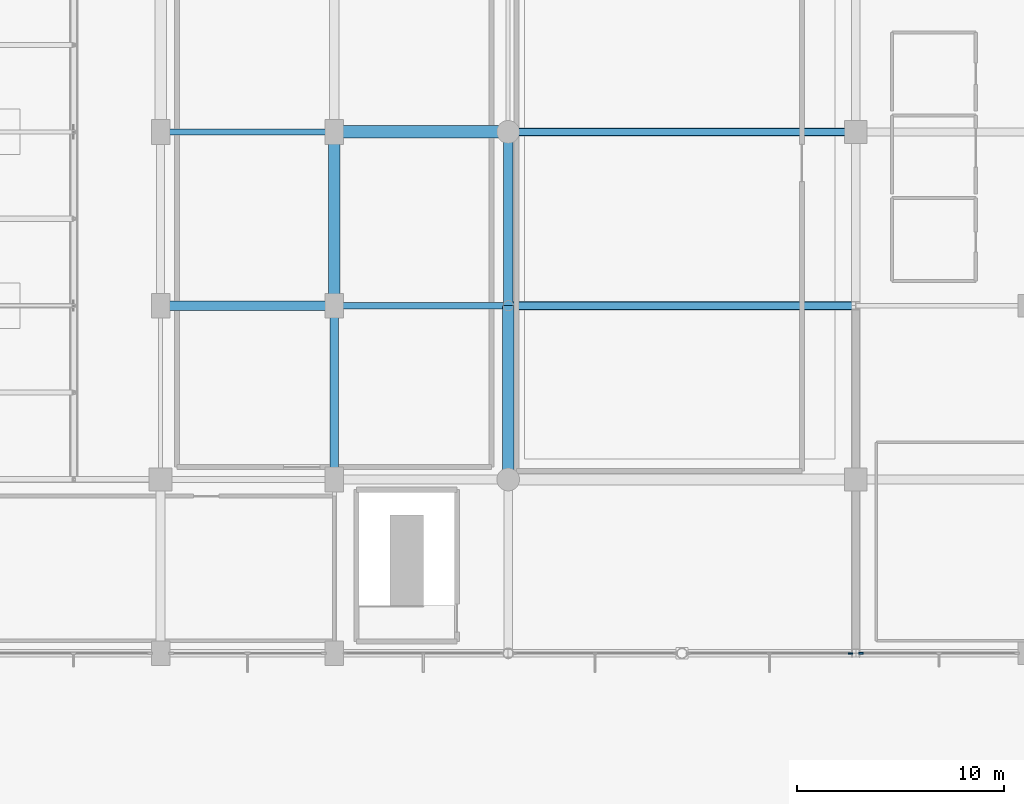
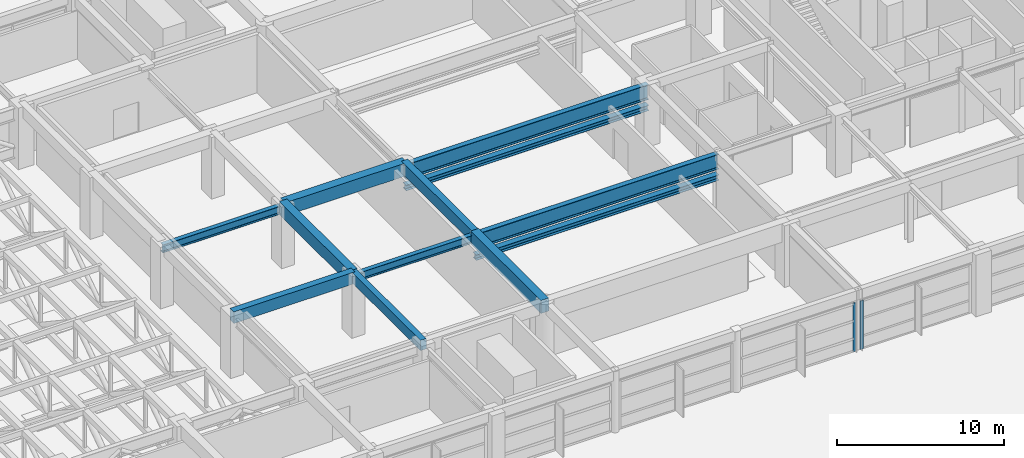
# One storey, part 28 of 47: 10 beams, 4 members, 2 elements without a shape of their own.
"""IFC4 building model written with IfcOpenShell, lengths in metres."""

from ifc_helpers import new_model, si_unit, direction, frame, origin, origin_2d, place, context, subcontext, project, spatial, rectangle, i_section, extrude, material, material_profile, profile_set, type_object, element, aggregate, save


model = new_model("IFC4")

# Units and contexts
model_context = context("Model", 3, precision=1e-05, world=origin(), true_north=direction((0.0, 1.0)))
body_context = subcontext(model_context, "Body", "Model", "MODEL_VIEW")
ifc_project = project(units=[si_unit("LENGTHUNIT", "METRE"), si_unit("AREAUNIT", "SQUARE_METRE"), si_unit("VOLUMEUNIT", "CUBIC_METRE"), si_unit("PLANEANGLEUNIT", "RADIAN"), si_unit("MASSUNIT", "GRAM", prefix="KILO")], contexts=[model_context])

# Site, building, storey
site_placement = place(None, origin())
site = spatial("IfcSite", under=ifc_project, at=site_placement, CompositionType="ELEMENT")
building_placement = place(site_placement, origin())
building = spatial("IfcBuilding", under=site, at=building_placement, Name="Xuanlan Plaza Opera House", CompositionType="ELEMENT")
storey_placement = place(building_placement, frame((0.0, 0.0, 23.39990234375)))
storey = spatial("IfcBuildingStorey", under=building, at=storey_placement, Name="L05", CompositionType="ELEMENT", Elevation=23.39990234375)

# Curtain wall, member
ifc_material_1 = material(Name="Anodised Aluminium 6063-T6 and Low-E Glass", Category="aluminium")
curtain_wall_type_1 = type_object("IfcCurtainWallType", Name="ENV-CW-CW-06", PredefinedType="USERDEFINED", material=ifc_material_1)
curtain_wall_1_placement = place(storey_placement, origin())
curtain_wall_1 = element("IfcCurtainWall", 1, at=curtain_wall_1_placement, inside=storey, type_object=curtain_wall_type_1, Name="Acoustic Glazed Wall L05-011", ObjectType="ACOUSTIC GLAZED WALL", PredefinedType="USERDEFINED")
ifc_material_2 = material(Name="Anodised Aluminium 6063-T6", Category="aluminium")
ifc_material_profile_1 = material_profile(ifc_material_2, rectangle(XDim=0.074951171875, YDim=0.199951171875, at=origin_2d()), Name="ALU-M 75x200")
ifc_profile_set_1 = profile_set([ifc_material_profile_1], Name="Anodised Aluminium 6063-T6")
member_type_1 = type_object("IfcMemberType", Name="ENV-CWM-03", PredefinedType="MULLION", material=ifc_profile_set_1)
member_1_placement = place(storey_placement, frame((125.742431640625, 33.60009765625, 0.0), z_axis=(0.0, 0.0, 1.0), x_axis=(0.0, 1.0, 0.0)))
member_1 = element("IfcMember", 2, at=member_1_placement, type_object=member_type_1, Name="CW-06 mullion 3", PredefinedType="MULLION", context=body_context, shape_type="SweptSolid", body=[
    extrude(rectangle(XDim=0.074951171875, YDim=0.199951171875, at=origin_2d()), origin(), (0.0, 0.0, 1.0), 3.5400390625),
])
aggregate(curtain_wall_1, [member_1])

curtain_wall_type_2 = type_object("IfcCurtainWallType", Name="ENV-CW-CW-05", PredefinedType="USERDEFINED", material=ifc_material_1)
curtain_wall_2_placement = place(storey_placement, origin())
curtain_wall_2 = element("IfcCurtainWall", 3, at=curtain_wall_2_placement, inside=storey, type_object=curtain_wall_type_2, Name="Acoustic Glazed Wall L05-012", ObjectType="ACOUSTIC GLAZED WALL", PredefinedType="USERDEFINED")
ifc_material_profile_2 = material_profile(ifc_material_2, rectangle(XDim=0.080078125, YDim=0.219970703125, at=origin_2d()), Name="ALU-M 80x220")
ifc_profile_set_2 = profile_set([ifc_material_profile_2], Name="Anodised Aluminium 6063-T6")
member_type_2 = type_object("IfcMemberType", Name="ENV-CWM-04", PredefinedType="MULLION", material=ifc_profile_set_2)
member_2_placement = place(storey_placement, frame((126.260009765625, 33.60009765625, 0.0), z_axis=(0.0, 0.0, 1.0), x_axis=(0.0, 1.0, 0.0)))
member_2 = element("IfcMember", 4, at=member_2_placement, type_object=member_type_2, Name="CW-05 mullion 1", PredefinedType="MULLION", context=body_context, shape_type="SweptSolid", body=[
    extrude(rectangle(XDim=0.080078125, YDim=0.219970703125, at=origin_2d()), origin(), (0.0, 0.0, 1.0), 3.5400390625),
])
aggregate(curtain_wall_2, [member_2])

# Beams
ifc_material_3 = material(Name="Concrete C50", Category="concrete")
ifc_material_profile_3 = material_profile(ifc_material_3, rectangle(XDim=0.60009765625, YDim=0.949951171875, at=origin_2d()), Name="RC-BM 600x950")
ifc_profile_set_3 = profile_set([ifc_material_profile_3], Name="Concrete C50")
beam_type_1 = type_object("IfcBeamType", Name="STR-BM-B-01", PredefinedType="BEAM", material=ifc_profile_set_3)
beam_1_placement = place(storey_placement, frame((100.800048828125, 58.800048828125, 4.025146484375), z_axis=(1.0, 0.0, 0.0), x_axis=(0.0, 1.0, 0.0)))
element("IfcBeam", 5, at=beam_1_placement, inside=storey, type_object=beam_type_1, Name="Grid Beam X L05 13-14/H", PredefinedType="BEAM", context=body_context, shape_type="SweptSolid", body=[
    extrude(rectangle(XDim=0.60009765625, YDim=0.949951171875, at=origin_2d()), origin(), (0.0, 0.0, 1.0), 8.39990234375),
])
ifc_material_profile_4 = material_profile(ifc_material_3, rectangle(XDim=0.550048828125, YDim=0.949951171875, at=origin_2d()), Name="RC-BM 550x950")
ifc_profile_set_4 = profile_set([ifc_material_profile_4], Name="Concrete C50")
beam_type_2 = type_object("IfcBeamType", Name="STR-BM-B-02", PredefinedType="BEAM", material=ifc_profile_set_4)
beam_2_placement = place(storey_placement, frame((100.800048828125, 50.39990234375, 4.025146484375), z_axis=(0.0, 1.0, 0.0), x_axis=(-1.0, 0.0, 0.0)))
element("IfcBeam", 6, at=beam_2_placement, inside=storey, type_object=beam_type_2, Name="Grid Beam Y L05 13/G-H", PredefinedType="BEAM", context=body_context, shape_type="SweptSolid", body=[
    extrude(rectangle(XDim=0.550048828125, YDim=0.949951171875, at=origin_2d()), origin(), (0.0, 0.0, 1.0), 8.400146484375),
])
beam_3_placement = place(storey_placement, frame((109.199951171875, 42.0, 4.025146484375), z_axis=(0.0, 1.0, 0.0), x_axis=(-1.0, 0.0, 0.0)))
element("IfcBeam", 7, at=beam_3_placement, inside=storey, type_object=beam_type_2, Name="Grid Beam Y L05 14/F-G", PredefinedType="BEAM", context=body_context, shape_type="SweptSolid", body=[
    extrude(rectangle(XDim=0.550048828125, YDim=0.949951171875, at=origin_2d()), origin(), (0.0, 0.0, 1.0), 8.39990234375),
])
ifc_material_4 = material(Name="Concrete C40", Category="concrete")
ifc_material_profile_5 = material_profile(ifc_material_4, rectangle(XDim=0.449951171875, YDim=0.85009765625, at=origin_2d()), Name="RC-BM 450x850")
ifc_profile_set_5 = profile_set([ifc_material_profile_5], Name="Concrete C40")
beam_type_3 = type_object("IfcBeamType", Name="STR-BM-B-04", PredefinedType="BEAM", material=ifc_profile_set_5)
for number, where, z_axis, x_axis, name in (
    (8, (92.39990234375, 50.39990234375, 4.0751953125), (1.0, 0.0, 0.0), (0.0, 1.0, 0.0), "Grid Beam X L05 12-13/G"),
    (9, (109.199951171875, 50.39990234375, 4.0751953125), (0.0, 1.0, 0.0), (-1.0, 0.0, 0.0), "Grid Beam Y L05 14/G-H"),
):
    element("IfcBeam", number, at=place(storey_placement, frame(where, z_axis=z_axis, x_axis=x_axis)), inside=storey, type_object=beam_type_3, Name=name, PredefinedType="BEAM", context=body_context, shape_type="SweptSolid", body=[
        extrude(rectangle(XDim=0.449951171875, YDim=0.85009765625, at=origin_2d()), origin(), (0.0, 0.0, 1.0), 8.400146484375),
    ])
ifc_material_profile_6 = material_profile(ifc_material_4, rectangle(XDim=0.39990234375, YDim=0.75, at=origin_2d()), Name="RC-BM 400x750")
ifc_profile_set_6 = profile_set([ifc_material_profile_6], Name="Concrete C40")
beam_type_4 = type_object("IfcBeamType", Name="STR-BM-B-06", PredefinedType="BEAM", material=ifc_profile_set_6)
beam_4_placement = place(storey_placement, frame((100.800048828125, 42.0, 4.125), z_axis=(0.0, 1.0, 0.0), x_axis=(-1.0, 0.0, 0.0)))
element("IfcBeam", 10, at=beam_4_placement, inside=storey, type_object=beam_type_4, Name="Grid Beam Y L05 13/F-G", PredefinedType="BEAM", context=body_context, shape_type="SweptSolid", body=[
    extrude(rectangle(XDim=0.39990234375, YDim=0.75, at=origin_2d()), origin(), (0.0, 0.0, 1.0), 8.39990234375),
])
ifc_material_5 = material(Name="Steel Q390B", Category="steel")
ifc_material_profile_7 = material_profile(ifc_material_5, i_section(OverallWidth=0.35009765625, OverallDepth=1.10009765625, WebThickness=0.01806640625, FlangeThickness=0.031982421875, FilletRadius=0.028076171875, at=origin_2d()), Name="HN 1100x350x18x32")
ifc_profile_set_7 = profile_set([ifc_material_profile_7], Name="Steel Q390B")
beam_type_5 = type_object("IfcBeamType", Name="STR-BM-LG-02", PredefinedType="BEAM", material=ifc_profile_set_7)
for number, where, z_axis, x_axis, name in (
    (11, (109.199951171875, 50.39990234375, 3.705078125), (1.0, 0.0, 0.0), (0.0, 1.0, 0.0), "Grid Beam X L05 14-16/G"),
    (12, (109.199951171875, 58.800048828125, 3.705078125), (1.0, 0.0, 0.0), (0.0, 1.0, 0.0), "Grid Beam X L05 14-16/H"),
):
    element("IfcBeam", number, at=place(storey_placement, frame(where, z_axis=z_axis, x_axis=x_axis)), inside=storey, type_object=beam_type_5, Name=name, PredefinedType="BEAM", context=body_context, shape_type="SweptSolid", body=[
        extrude(i_section(OverallWidth=0.35009765625, OverallDepth=1.10009765625, WebThickness=0.01806640625, FlangeThickness=0.031982421875, FilletRadius=0.028076171875, at=origin_2d()), origin(), (0.0, 0.0, 1.0), 16.800048828125),
    ])
ifc_material_6 = material(Name="Steel Q355B", Category="steel")
ifc_material_profile_8 = material_profile(ifc_material_6, i_section(OverallWidth=0.300048828125, OverallDepth=0.587890625, WebThickness=0.011962890625, FlangeThickness=0.02001953125, FilletRadius=0.02392578125, at=origin_2d()), Name="HM 588x300x12x20")
ifc_profile_set_8 = profile_set([ifc_material_profile_8], Name="Steel Q355B")
beam_type_6 = type_object("IfcBeamType", Name="STR-BM-SB-06", PredefinedType="BEAM", material=ifc_profile_set_8)
beam_5_placement = place(storey_placement, frame((100.800048828125, 50.39990234375, 3.961181640625), z_axis=(1.0, 0.0, 0.0), x_axis=(0.0, 1.0, 0.0)))
element("IfcBeam", 13, at=beam_5_placement, inside=storey, type_object=beam_type_6, Name="Grid Beam X L05 13-14/G", PredefinedType="BEAM", context=body_context, shape_type="SweptSolid", body=[
    extrude(i_section(OverallWidth=0.300048828125, OverallDepth=0.587890625, WebThickness=0.011962890625, FlangeThickness=0.02001953125, FilletRadius=0.02392578125, at=origin_2d()), origin(), (0.0, 0.0, 1.0), 8.39990234375),
])
beam_6_placement = place(storey_placement, frame((92.39990234375, 58.800048828125, 3.961181640625), z_axis=(1.0, 0.0, 0.0), x_axis=(0.0, 1.0, 0.0)))
element("IfcBeam", 14, at=beam_6_placement, inside=storey, type_object=beam_type_6, Name="Grid Beam X L05 12-13/H", PredefinedType="BEAM", context=body_context, shape_type="SweptSolid", body=[
    extrude(i_section(OverallWidth=0.300048828125, OverallDepth=0.587890625, WebThickness=0.011962890625, FlangeThickness=0.02001953125, FilletRadius=0.02392578125, at=origin_2d()), origin(), (0.0, 0.0, 1.0), 8.400146484375),
])

# Members
ifc_material_profile_9 = material_profile(ifc_material_5, i_section(OverallWidth=0.39990234375, OverallDepth=0.39990234375, WebThickness=0.012939453125, FlangeThickness=0.02099609375, FilletRadius=0.02197265625, at=origin_2d()), Name="HW 400x400x13x21")
ifc_profile_set_9 = profile_set([ifc_material_profile_9], Name="Steel Q390B")
member_type_3 = type_object("IfcMemberType", Name="STR-MEM-ATC-01", PredefinedType="CHORD", material=ifc_profile_set_9)
for number, where, z_axis, x_axis, name in (
    (15, (109.199951171875, 50.39990234375, 2.55517578125), (1.0, 0.0, 0.0), (0.0, 1.0, 0.0), "Atrium Truss Bottom Chord L05 Grid G"),
    (16, (109.199951171875, 58.800048828125, 2.55517578125), (1.0, 0.0, 0.0), (0.0, 1.0, 0.0), "Atrium Truss Bottom Chord L05 Grid H"),
):
    element("IfcMember", number, at=place(storey_placement, frame(where, z_axis=z_axis, x_axis=x_axis)), inside=storey, type_object=member_type_3, Name=name, PredefinedType="CHORD", context=body_context, shape_type="SweptSolid", body=[
        extrude(i_section(OverallWidth=0.39990234375, OverallDepth=0.39990234375, WebThickness=0.012939453125, FlangeThickness=0.02099609375, FilletRadius=0.02197265625, at=origin_2d()), origin(), (0.0, 0.0, 1.0), 16.800048828125),
    ])

save(model, "model.ifc")
